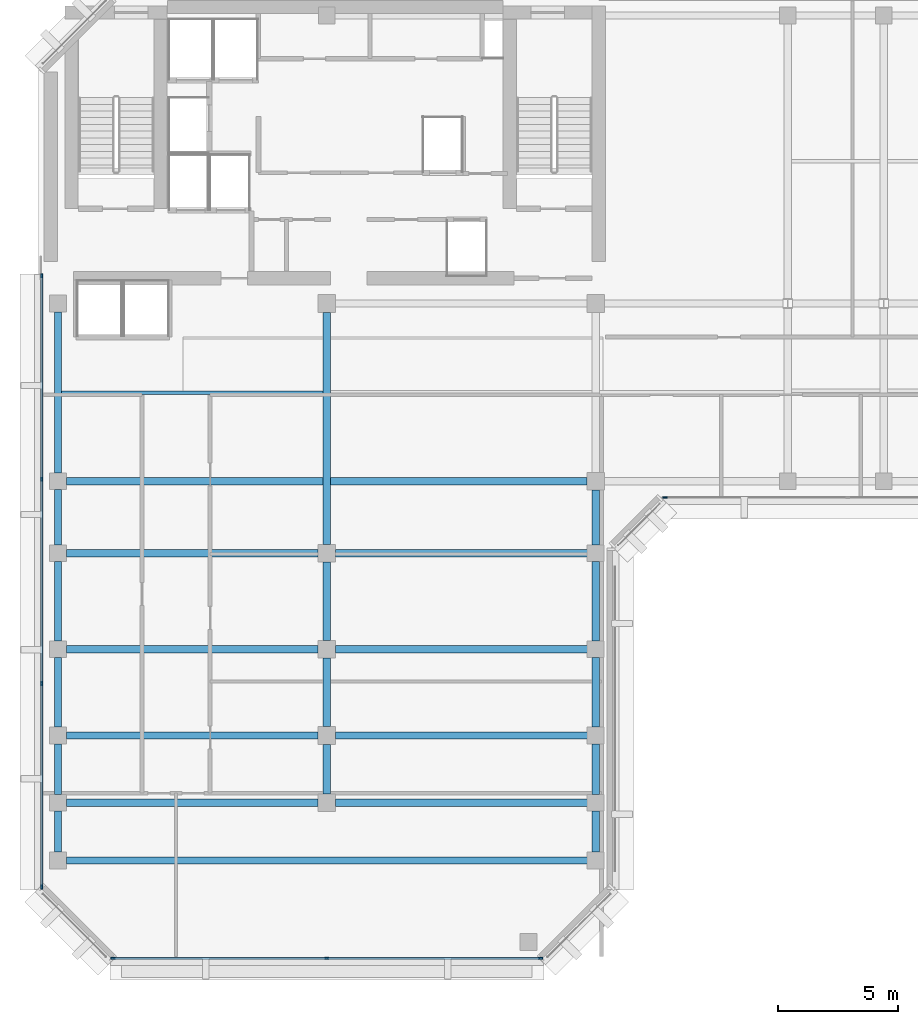
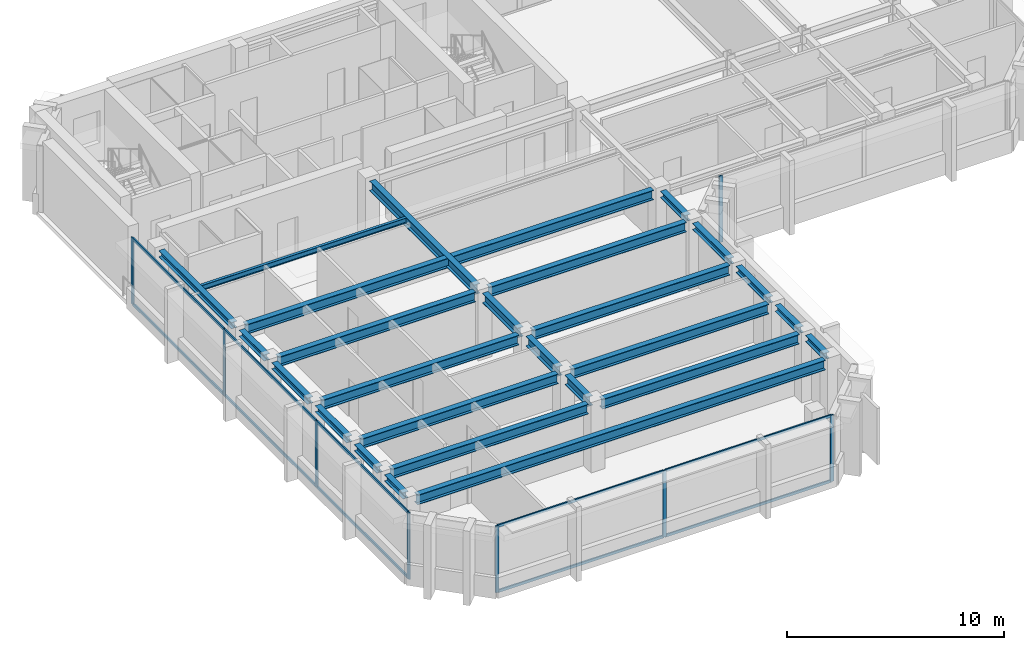
# One storey, part 2 of 11: 26 beams, 18 members, 3 elements without a shape of their own.
"""IFC4 building model written with IfcOpenShell, lengths in metres."""

from ifc_helpers import new_model, si_unit, direction, frame, origin, origin_2d, place, context, subcontext, project, spatial, rectangle, i_section, extrude, material, layer, layer_set, material_profile, profile_set, type_object, element, aggregate, save


model = new_model("IFC4")

# Units and contexts
model_context = context("Model", 3, precision=1e-05, world=origin(), true_north=direction((0.0, 1.0)))
body_context = subcontext(model_context, "Body", "Model", "MODEL_VIEW")
ifc_project = project(units=[si_unit("LENGTHUNIT", "METRE"), si_unit("AREAUNIT", "SQUARE_METRE"), si_unit("VOLUMEUNIT", "CUBIC_METRE"), si_unit("PLANEANGLEUNIT", "RADIAN"), si_unit("MASSUNIT", "GRAM", prefix="KILO")], contexts=[model_context])

# Site, building, storey
site_placement = place(None, origin())
site = spatial("IfcSite", under=ifc_project, at=site_placement, CompositionType="ELEMENT")
building_placement = place(site_placement, origin())
building = spatial("IfcBuilding", under=site, at=building_placement, Name="Kefirva Bronze Tower", CompositionType="ELEMENT")
storey_placement = place(building_placement, frame((0.0, 0.0, 284.1298828125)))
storey = spatial("IfcBuildingStorey", under=building, at=storey_placement, Name="L69", CompositionType="ELEMENT", Elevation=284.1298828125)

# Curtain wall, members
ifc_material_1 = material(Name="Bronze anodised aluminium", Category="aluminium")
ifc_layer = layer(ifc_material_1, 0.179931640625, Name="Bronze anodised aluminium")
ifc_layer_set = layer_set([ifc_layer], Name="Bronze anodised aluminium")
curtain_wall_type = type_object("IfcCurtainWallType", Name="Unitised Bronze Ribbon Curtain Wall Zone 4", PredefinedType="USERDEFINED", material=ifc_layer_set)
curtain_wall_1_placement = place(storey_placement, origin())
curtain_wall_1 = element("IfcCurtainWall", 1, at=curtain_wall_1_placement, inside=storey, type_object=curtain_wall_type, Name="L69 Curtain Wall 1", ObjectType="UNITISED CURTAIN WALL", PredefinedType="USERDEFINED")
ifc_material_profile_1 = material_profile(ifc_material_1, rectangle(XDim=0.074951171875, YDim=0.179931640625, at=origin_2d()), Name="ALU 75x180")
ifc_profile_set_1 = profile_set([ifc_material_profile_1], Name="Bronze anodised aluminium")
member_type_1 = type_object("IfcMemberType", Name="Bronze Mullion 75x180", PredefinedType="MULLION", material=ifc_profile_set_1)
member_1_placement = place(storey_placement, frame((3.092529296875, 5.919921875, 0.0), z_axis=(0.0, 0.0, 1.0), x_axis=(0.0, 1.0, 0.0)))
member_1 = element("IfcMember", 2, at=member_1_placement, type_object=member_type_1, Name="CW-04 mullion 1", PredefinedType="MULLION", context=body_context, shape_type="SweptSolid", body=[
    extrude(rectangle(XDim=0.074951171875, YDim=0.179931640625, at=origin_2d()), origin(), (0.0, 0.0, 1.0), 3.740234375),
])
member_2_placement = place(storey_placement, frame((12.0, 5.919921875, 0.0), z_axis=(0.0, 0.0, 1.0), x_axis=(0.0, 1.0, 0.0)))
member_2 = element("IfcMember", 3, at=member_2_placement, type_object=member_type_1, Name="CW-04 mullion 2", PredefinedType="MULLION", context=body_context, shape_type="SweptSolid", body=[
    extrude(rectangle(XDim=0.074951171875, YDim=0.179931640625, at=origin_2d()), origin(), (0.0, 0.0, 1.0), 3.740234375),
])
member_3_placement = place(storey_placement, frame((20.907470703125, 5.919921875, 0.0), z_axis=(0.0, 0.0, 1.0), x_axis=(0.0, 1.0, 0.0)))
member_3 = element("IfcMember", 4, at=member_3_placement, type_object=member_type_1, Name="CW-04 mullion 3", PredefinedType="MULLION", context=body_context, shape_type="SweptSolid", body=[
    extrude(rectangle(XDim=0.074951171875, YDim=0.179931640625, at=origin_2d()), origin(), (0.0, 0.0, 1.0), 3.740234375),
])

# Curtain wall, member
curtain_wall_2_placement = place(storey_placement, origin())
curtain_wall_2 = element("IfcCurtainWall", 5, at=curtain_wall_2_placement, inside=storey, type_object=curtain_wall_type, Name="L69 Curtain Wall 2", ObjectType="UNITISED CURTAIN WALL", PredefinedType="USERDEFINED")
member_4_placement = place(storey_placement, frame((26.092529296875, 25.1201171875, 0.0), z_axis=(0.0, 0.0, 1.0), x_axis=(0.0, 1.0, 0.0)))
member_4 = element("IfcMember", 6, at=member_4_placement, type_object=member_type_1, Name="CW-04 mullion 1", PredefinedType="MULLION", context=body_context, shape_type="SweptSolid", body=[
    extrude(rectangle(XDim=0.074951171875, YDim=0.179931640625, at=origin_2d()), origin(), (0.0, 0.0, 1.0), 3.740234375),
])
aggregate(curtain_wall_2, [member_4])

# Curtain wall, members
curtain_wall_3_placement = place(storey_placement, origin())
curtain_wall_3 = element("IfcCurtainWall", 7, at=curtain_wall_3_placement, inside=storey, type_object=curtain_wall_type, Name="L69 Curtain Wall 5", ObjectType="UNITISED CURTAIN WALL", PredefinedType="USERDEFINED")
member_5_placement = place(storey_placement, frame((0.1201171875, 34.357421875, 0.0), z_axis=(0.0, 0.0, 1.0), x_axis=(1.0, 0.0, 0.0)))
member_5 = element("IfcMember", 8, at=member_5_placement, type_object=member_type_1, Name="CW-04 mullion 1", PredefinedType="MULLION", context=body_context, shape_type="SweptSolid", body=[
    extrude(rectangle(XDim=0.074951171875, YDim=0.179931640625, at=origin_2d()), origin(), (0.0, 0.0, 1.0), 3.740234375),
])
member_6_placement = place(storey_placement, frame((0.1201171875, 25.881591796875, 0.0), z_axis=(0.0, 0.0, 1.0), x_axis=(1.0, 0.0, 0.0)))
member_6 = element("IfcMember", 9, at=member_6_placement, type_object=member_type_1, Name="CW-04 mullion 2", PredefinedType="MULLION", context=body_context, shape_type="SweptSolid", body=[
    extrude(rectangle(XDim=0.074951171875, YDim=0.179931640625, at=origin_2d()), origin(), (0.0, 0.0, 1.0), 3.740234375),
])
member_7_placement = place(storey_placement, frame((0.1201171875, 17.368408203125, 0.0), z_axis=(0.0, 0.0, 1.0), x_axis=(1.0, 0.0, 0.0)))
member_7 = element("IfcMember", 10, at=member_7_placement, type_object=member_type_1, Name="CW-04 mullion 3", PredefinedType="MULLION", context=body_context, shape_type="SweptSolid", body=[
    extrude(rectangle(XDim=0.074951171875, YDim=0.179931640625, at=origin_2d()), origin(), (0.0, 0.0, 1.0), 3.740234375),
])
member_8_placement = place(storey_placement, frame((0.1201171875, 8.892578125, 0.0), z_axis=(0.0, 0.0, 1.0), x_axis=(1.0, 0.0, 0.0)))
member_8 = element("IfcMember", 11, at=member_8_placement, type_object=member_type_1, Name="CW-04 mullion 4", PredefinedType="MULLION", context=body_context, shape_type="SweptSolid", body=[
    extrude(rectangle(XDim=0.074951171875, YDim=0.179931640625, at=origin_2d()), origin(), (0.0, 0.0, 1.0), 3.740234375),
])

# Member
ifc_material_profile_2 = material_profile(ifc_material_1, rectangle(XDim=0.074951171875, YDim=0.14990234375, at=origin_2d()), Name="ALU 75x150")
ifc_profile_set_2 = profile_set([ifc_material_profile_2], Name="Bronze anodised aluminium")
member_type_2 = type_object("IfcMemberType", Name="Bronze Transom 75x150", PredefinedType="USERDEFINED", material=ifc_profile_set_2)
member_9_placement = place(storey_placement, frame((3.1298828125, 5.919921875, 0.03759765625), z_axis=(1.0, 0.0, 0.0), x_axis=(0.0, 1.0, 0.0)))
member_9 = element("IfcMember", 12, at=member_9_placement, type_object=member_type_2, Name="CW-04 transom 1.1", ObjectType="TRANSOM", PredefinedType="USERDEFINED", context=body_context, shape_type="SweptSolid", body=[
    extrude(rectangle(XDim=0.074951171875, YDim=0.14990234375, at=origin_2d()), origin(), (0.0, 0.0, 1.0), 8.83251953125),
])

member_10_placement = place(storey_placement, frame((3.1298828125, 5.919921875, 3.70263671875), z_axis=(1.0, 0.0, 0.0), x_axis=(0.0, 1.0, 0.0)))
member_10 = element("IfcMember", 13, at=member_10_placement, type_object=member_type_2, Name="CW-04 transom 1.2", ObjectType="TRANSOM", PredefinedType="USERDEFINED", context=body_context, shape_type="SweptSolid", body=[
    extrude(rectangle(XDim=0.074951171875, YDim=0.14990234375, at=origin_2d()), origin(), (0.0, 0.0, 1.0), 8.83251953125),
])

member_11_placement = place(storey_placement, frame((12.03759765625, 5.919921875, 0.03759765625), z_axis=(1.0, 0.0, 0.0), x_axis=(0.0, 1.0, 0.0)))
member_11 = element("IfcMember", 14, at=member_11_placement, type_object=member_type_2, Name="CW-04 transom 2.1", ObjectType="TRANSOM", PredefinedType="USERDEFINED", context=body_context, shape_type="SweptSolid", body=[
    extrude(rectangle(XDim=0.074951171875, YDim=0.14990234375, at=origin_2d()), origin(), (0.0, 0.0, 1.0), 8.83251953125),
])

member_12_placement = place(storey_placement, frame((12.03759765625, 5.919921875, 3.70263671875), z_axis=(1.0, 0.0, 0.0), x_axis=(0.0, 1.0, 0.0)))
member_12 = element("IfcMember", 15, at=member_12_placement, type_object=member_type_2, Name="CW-04 transom 2.2", ObjectType="TRANSOM", PredefinedType="USERDEFINED", context=body_context, shape_type="SweptSolid", body=[
    extrude(rectangle(XDim=0.074951171875, YDim=0.14990234375, at=origin_2d()), origin(), (0.0, 0.0, 1.0), 8.83251953125),
])

aggregate(curtain_wall_1, [member_1, member_2, member_3, member_9, member_10, member_11, member_12])

member_13_placement = place(storey_placement, frame((0.1201171875, 34.320068359375, 0.03759765625), z_axis=(0.0, -1.0, 0.0), x_axis=(1.0, 0.0, 0.0)))
member_13 = element("IfcMember", 16, at=member_13_placement, type_object=member_type_2, Name="CW-04 transom 1.1", ObjectType="TRANSOM", PredefinedType="USERDEFINED", context=body_context, shape_type="SweptSolid", body=[
    extrude(rectangle(XDim=0.074951171875, YDim=0.14990234375, at=origin_2d()), origin(), (0.0, 0.0, 1.0), 8.40087890625),
])

member_14_placement = place(storey_placement, frame((0.1201171875, 34.320068359375, 3.70263671875), z_axis=(0.0, -1.0, 0.0), x_axis=(1.0, 0.0, 0.0)))
member_14 = element("IfcMember", 17, at=member_14_placement, type_object=member_type_2, Name="CW-04 transom 1.2", ObjectType="TRANSOM", PredefinedType="USERDEFINED", context=body_context, shape_type="SweptSolid", body=[
    extrude(rectangle(XDim=0.074951171875, YDim=0.14990234375, at=origin_2d()), origin(), (0.0, 0.0, 1.0), 8.40087890625),
])

member_15_placement = place(storey_placement, frame((0.1201171875, 25.84423828125, 0.03759765625), z_axis=(0.0, -1.0, 0.0), x_axis=(1.0, 0.0, 0.0)))
member_15 = element("IfcMember", 18, at=member_15_placement, type_object=member_type_2, Name="CW-04 transom 2.1", ObjectType="TRANSOM", PredefinedType="USERDEFINED", context=body_context, shape_type="SweptSolid", body=[
    extrude(rectangle(XDim=0.074951171875, YDim=0.14990234375, at=origin_2d()), origin(), (0.0, 0.0, 1.0), 8.4384765625),
])

member_16_placement = place(storey_placement, frame((0.1201171875, 25.84423828125, 3.70263671875), z_axis=(0.0, -1.0, 0.0), x_axis=(1.0, 0.0, 0.0)))
member_16 = element("IfcMember", 19, at=member_16_placement, type_object=member_type_2, Name="CW-04 transom 2.2", ObjectType="TRANSOM", PredefinedType="USERDEFINED", context=body_context, shape_type="SweptSolid", body=[
    extrude(rectangle(XDim=0.074951171875, YDim=0.14990234375, at=origin_2d()), origin(), (0.0, 0.0, 1.0), 8.4384765625),
])

member_17_placement = place(storey_placement, frame((0.1201171875, 17.330810546875, 0.03759765625), z_axis=(0.0, -1.0, 0.0), x_axis=(1.0, 0.0, 0.0)))
member_17 = element("IfcMember", 20, at=member_17_placement, type_object=member_type_2, Name="CW-04 transom 3.1", ObjectType="TRANSOM", PredefinedType="USERDEFINED", context=body_context, shape_type="SweptSolid", body=[
    extrude(rectangle(XDim=0.074951171875, YDim=0.14990234375, at=origin_2d()), origin(), (0.0, 0.0, 1.0), 8.40087890625),
])

member_18_placement = place(storey_placement, frame((0.1201171875, 17.330810546875, 3.70263671875), z_axis=(0.0, -1.0, 0.0), x_axis=(1.0, 0.0, 0.0)))
member_18 = element("IfcMember", 21, at=member_18_placement, type_object=member_type_2, Name="CW-04 transom 3.2", ObjectType="TRANSOM", PredefinedType="USERDEFINED", context=body_context, shape_type="SweptSolid", body=[
    extrude(rectangle(XDim=0.074951171875, YDim=0.14990234375, at=origin_2d()), origin(), (0.0, 0.0, 1.0), 8.40087890625),
])

aggregate(curtain_wall_3, [member_5, member_6, member_7, member_8, member_13, member_14, member_15, member_16, member_17, member_18])

# Beams
ifc_material_2 = material(Name="Steel S355", Category="steel")
ifc_material_profile_3 = material_profile(ifc_material_2, i_section(OverallWidth=0.14990234375, OverallDepth=0.300048828125, WebThickness=0.007080078125, FlangeThickness=0.0107421875, at=origin_2d()), Name="IPE 300")
ifc_profile_set_3 = profile_set([ifc_material_profile_3], Name="Steel S355")
beam_type_1 = type_object("IfcBeamType", Name="Steel Floor Joist IPE 300", PredefinedType="JOIST", material=ifc_profile_set_3)
beam_1_placement = place(storey_placement, frame((0.949951171875, 29.489990234375, 3.590087890625), z_axis=(1.0, 0.0, 0.0), x_axis=(0.0, 1.0, 0.0)))
element("IfcBeam", 22, at=beam_1_placement, inside=storey, type_object=beam_type_1, Name="L69 JST-L69-0-294", PredefinedType="JOIST", context=body_context, shape_type="SweptSolid", body=[
    extrude(i_section(OverallWidth=0.14990234375, OverallDepth=0.300048828125, WebThickness=0.007080078125, FlangeThickness=0.0107421875, at=origin_2d()), origin(), (0.0, 0.0, 1.0), 10.900146484375),
])
ifc_material_profile_4 = material_profile(ifc_material_2, i_section(OverallWidth=0.300048828125, OverallDepth=0.550048828125, WebThickness=0.014892578125, FlangeThickness=0.029052734375, at=origin_2d()), Name="HEB 550")
ifc_profile_set_4 = profile_set([ifc_material_profile_4], Name="Steel S355")
beam_type_2 = type_object("IfcBeamType", Name="Steel Girder HEB 550", PredefinedType="USERDEFINED", material=ifc_profile_set_4)
beam_2_placement = place(storey_placement, frame((1.14990234375, 10.0, 3.465087890625), z_axis=(1.0, 0.0, 0.0), x_axis=(0.0, 1.0, 0.0)))
element("IfcBeam", 23, at=beam_2_placement, inside=storey, type_object=beam_type_2, Name="L69 BM-L69-EW-0-100", ObjectType="GIRDER", PredefinedType="USERDEFINED", context=body_context, shape_type="SweptSolid", body=[
    extrude(i_section(OverallWidth=0.300048828125, OverallDepth=0.550048828125, WebThickness=0.014892578125, FlangeThickness=0.029052734375, at=origin_2d()), origin(), (0.0, 0.0, 1.0), 21.7001953125),
])
for number, where, z_axis, x_axis, name in (
    (24, (1.14990234375, 12.39990234375, 3.465087890625), (1.0, 0.0, 0.0), (0.0, 1.0, 0.0), "L69 BM-L69-EW-0-124"),
    (25, (12.3701171875, 12.39990234375, 3.465087890625), (1.0, 0.0, 0.0), (0.0, 1.0, 0.0), "L69 BM-L69-EW-12-124"),
    (26, (1.14990234375, 15.199951171875, 3.465087890625), (1.0, 0.0, 0.0), (0.0, 1.0, 0.0), "L69 BM-L69-EW-0-152"),
    (27, (12.3701171875, 15.199951171875, 3.465087890625), (1.0, 0.0, 0.0), (0.0, 1.0, 0.0), "L69 BM-L69-EW-12-152"),
    (28, (1.14990234375, 18.800048828125, 3.465087890625), (1.0, 0.0, 0.0), (0.0, 1.0, 0.0), "L69 BM-L69-EW-0-188"),
    (29, (12.3701171875, 18.800048828125, 3.465087890625), (1.0, 0.0, 0.0), (0.0, 1.0, 0.0), "L69 BM-L69-EW-12-188"),
    (30, (1.14990234375, 22.800048828125, 3.465087890625), (1.0, 0.0, 0.0), (0.0, 1.0, 0.0), "L69 BM-L69-EW-0-228"),
    (31, (12.3701171875, 22.800048828125, 3.465087890625), (1.0, 0.0, 0.0), (0.0, 1.0, 0.0), "L69 BM-L69-EW-12-228"),
):
    element("IfcBeam", number, at=place(storey_placement, frame(where, z_axis=z_axis, x_axis=x_axis)), inside=storey, type_object=beam_type_2, Name=name, ObjectType="GIRDER", PredefinedType="USERDEFINED", context=body_context, shape_type="SweptSolid", body=[
        extrude(i_section(OverallWidth=0.300048828125, OverallDepth=0.550048828125, WebThickness=0.014892578125, FlangeThickness=0.029052734375, at=origin_2d()), origin(), (0.0, 0.0, 1.0), 10.47998046875),
    ])
beam_3_placement = place(storey_placement, frame((1.14990234375, 25.800048828125, 3.465087890625), z_axis=(1.0, 0.0, 0.0), x_axis=(0.0, 1.0, 0.0)))
element("IfcBeam", 32, at=beam_3_placement, inside=storey, type_object=beam_type_2, Name="L69 BM-L69-EW-0-258", ObjectType="GIRDER", PredefinedType="USERDEFINED", context=body_context, shape_type="SweptSolid", body=[
    extrude(i_section(OverallWidth=0.300048828125, OverallDepth=0.550048828125, WebThickness=0.014892578125, FlangeThickness=0.029052734375, at=origin_2d()), origin(), (0.0, 0.0, 1.0), 21.68017578125),
])
beam_4_placement = place(storey_placement, frame((12.0, 12.77001953125, 3.465087890625), z_axis=(0.0, 1.0, 0.0), x_axis=(-1.0, 0.0, 0.0)))
element("IfcBeam", 33, at=beam_4_placement, inside=storey, type_object=beam_type_2, Name="L69 BM-L69-NS-120-12", ObjectType="GIRDER", PredefinedType="USERDEFINED", context=body_context, shape_type="SweptSolid", body=[
    extrude(i_section(OverallWidth=0.300048828125, OverallDepth=0.550048828125, WebThickness=0.014892578125, FlangeThickness=0.029052734375, at=origin_2d()), origin(), (0.0, 0.0, 1.0), 2.06005859375),
])
beam_5_placement = place(storey_placement, frame((12.0, 15.570068359375, 3.465087890625), z_axis=(0.0, 1.0, 0.0), x_axis=(-1.0, 0.0, 0.0)))
element("IfcBeam", 34, at=beam_5_placement, inside=storey, type_object=beam_type_2, Name="L69 BM-L69-NS-120-15", ObjectType="GIRDER", PredefinedType="USERDEFINED", context=body_context, shape_type="SweptSolid", body=[
    extrude(i_section(OverallWidth=0.300048828125, OverallDepth=0.550048828125, WebThickness=0.014892578125, FlangeThickness=0.029052734375, at=origin_2d()), origin(), (0.0, 0.0, 1.0), 2.85986328125),
])
beam_6_placement = place(storey_placement, frame((12.0, 19.169921875, 3.465087890625), z_axis=(0.0, 1.0, 0.0), x_axis=(-1.0, 0.0, 0.0)))
element("IfcBeam", 35, at=beam_6_placement, inside=storey, type_object=beam_type_2, Name="L69 BM-L69-NS-120-18", ObjectType="GIRDER", PredefinedType="USERDEFINED", context=body_context, shape_type="SweptSolid", body=[
    extrude(i_section(OverallWidth=0.300048828125, OverallDepth=0.550048828125, WebThickness=0.014892578125, FlangeThickness=0.029052734375, at=origin_2d()), origin(), (0.0, 0.0, 1.0), 3.260009765625),
])
beam_7_placement = place(storey_placement, frame((12.0, 23.169921875, 3.465087890625), z_axis=(0.0, 1.0, 0.0), x_axis=(-1.0, 0.0, 0.0)))
element("IfcBeam", 36, at=beam_7_placement, inside=storey, type_object=beam_type_2, Name="L69 BM-L69-NS-120-22", ObjectType="GIRDER", PredefinedType="USERDEFINED", context=body_context, shape_type="SweptSolid", body=[
    extrude(i_section(OverallWidth=0.300048828125, OverallDepth=0.550048828125, WebThickness=0.014892578125, FlangeThickness=0.029052734375, at=origin_2d()), origin(), (0.0, 0.0, 1.0), 9.66015625),
])
ifc_material_profile_5 = material_profile(ifc_material_2, i_section(OverallWidth=0.300048828125, OverallDepth=0.360107421875, WebThickness=0.012451171875, FlangeThickness=0.0224609375, at=origin_2d()), Name="HEB 360")
ifc_profile_set_5 = profile_set([ifc_material_profile_5], Name="Steel S355")
beam_type_3 = type_object("IfcBeamType", Name="Steel Spandrel HEB 360 Ext", PredefinedType="SPANDREL", material=ifc_profile_set_5)
beam_8_placement = place(storey_placement, frame((0.800048828125, 10.35009765625, 3.56005859375), z_axis=(0.0, 1.0, 0.0), x_axis=(-1.0, 0.0, 0.0)))
element("IfcBeam", 37, at=beam_8_placement, inside=storey, type_object=beam_type_3, Name="L69 BM-L69-NS-8-10", PredefinedType="SPANDREL", context=body_context, shape_type="SweptSolid", body=[
    extrude(i_section(OverallWidth=0.300048828125, OverallDepth=0.360107421875, WebThickness=0.012451171875, FlangeThickness=0.0224609375, at=origin_2d()), origin(), (0.0, 0.0, 1.0), 1.699951171875),
])
beam_9_placement = place(storey_placement, frame((0.800048828125, 12.75, 3.56005859375), z_axis=(0.0, 1.0, 0.0), x_axis=(-1.0, 0.0, 0.0)))
element("IfcBeam", 38, at=beam_9_placement, inside=storey, type_object=beam_type_3, Name="L69 BM-L69-NS-8-12", PredefinedType="SPANDREL", context=body_context, shape_type="SweptSolid", body=[
    extrude(i_section(OverallWidth=0.300048828125, OverallDepth=0.360107421875, WebThickness=0.012451171875, FlangeThickness=0.0224609375, at=origin_2d()), origin(), (0.0, 0.0, 1.0), 2.10009765625),
])
beam_10_placement = place(storey_placement, frame((0.800048828125, 15.550048828125, 3.56005859375), z_axis=(0.0, 1.0, 0.0), x_axis=(-1.0, 0.0, 0.0)))
element("IfcBeam", 39, at=beam_10_placement, inside=storey, type_object=beam_type_3, Name="L69 BM-L69-NS-8-15", PredefinedType="SPANDREL", context=body_context, shape_type="SweptSolid", body=[
    extrude(i_section(OverallWidth=0.300048828125, OverallDepth=0.360107421875, WebThickness=0.012451171875, FlangeThickness=0.0224609375, at=origin_2d()), origin(), (0.0, 0.0, 1.0), 2.89990234375),
])
beam_11_placement = place(storey_placement, frame((0.800048828125, 19.14990234375, 3.56005859375), z_axis=(0.0, 1.0, 0.0), x_axis=(-1.0, 0.0, 0.0)))
element("IfcBeam", 40, at=beam_11_placement, inside=storey, type_object=beam_type_3, Name="L69 BM-L69-NS-8-18", PredefinedType="SPANDREL", context=body_context, shape_type="SweptSolid", body=[
    extrude(i_section(OverallWidth=0.300048828125, OverallDepth=0.360107421875, WebThickness=0.012451171875, FlangeThickness=0.0224609375, at=origin_2d()), origin(), (0.0, 0.0, 1.0), 3.300048828125),
])
beam_12_placement = place(storey_placement, frame((0.800048828125, 23.14990234375, 3.56005859375), z_axis=(0.0, 1.0, 0.0), x_axis=(-1.0, 0.0, 0.0)))
element("IfcBeam", 41, at=beam_12_placement, inside=storey, type_object=beam_type_3, Name="L69 BM-L69-NS-8-22", PredefinedType="SPANDREL", context=body_context, shape_type="SweptSolid", body=[
    extrude(i_section(OverallWidth=0.300048828125, OverallDepth=0.360107421875, WebThickness=0.012451171875, FlangeThickness=0.0224609375, at=origin_2d()), origin(), (0.0, 0.0, 1.0), 2.300048828125),
])
beam_13_placement = place(storey_placement, frame((0.800048828125, 26.14990234375, 3.56005859375), z_axis=(0.0, 1.0, 0.0), x_axis=(-1.0, 0.0, 0.0)))
element("IfcBeam", 42, at=beam_13_placement, inside=storey, type_object=beam_type_3, Name="L69 BM-L69-NS-8-25", PredefinedType="SPANDREL", context=body_context, shape_type="SweptSolid", body=[
    extrude(i_section(OverallWidth=0.300048828125, OverallDepth=0.360107421875, WebThickness=0.012451171875, FlangeThickness=0.0224609375, at=origin_2d()), origin(), (0.0, 0.0, 1.0), 6.7001953125),
])
beam_14_placement = place(storey_placement, frame((23.199951171875, 10.35009765625, 3.56005859375), z_axis=(0.0, 1.0, 0.0), x_axis=(-1.0, 0.0, 0.0)))
element("IfcBeam", 43, at=beam_14_placement, inside=storey, type_object=beam_type_3, Name="L69 BM-L69-NS-232-10", PredefinedType="SPANDREL", context=body_context, shape_type="SweptSolid", body=[
    extrude(i_section(OverallWidth=0.300048828125, OverallDepth=0.360107421875, WebThickness=0.012451171875, FlangeThickness=0.0224609375, at=origin_2d()), origin(), (0.0, 0.0, 1.0), 1.699951171875),
])
beam_15_placement = place(storey_placement, frame((23.199951171875, 12.75, 3.56005859375), z_axis=(0.0, 1.0, 0.0), x_axis=(-1.0, 0.0, 0.0)))
element("IfcBeam", 44, at=beam_15_placement, inside=storey, type_object=beam_type_3, Name="L69 BM-L69-NS-232-12", PredefinedType="SPANDREL", context=body_context, shape_type="SweptSolid", body=[
    extrude(i_section(OverallWidth=0.300048828125, OverallDepth=0.360107421875, WebThickness=0.012451171875, FlangeThickness=0.0224609375, at=origin_2d()), origin(), (0.0, 0.0, 1.0), 2.10009765625),
])
beam_16_placement = place(storey_placement, frame((23.199951171875, 15.550048828125, 3.56005859375), z_axis=(0.0, 1.0, 0.0), x_axis=(-1.0, 0.0, 0.0)))
element("IfcBeam", 45, at=beam_16_placement, inside=storey, type_object=beam_type_3, Name="L69 BM-L69-NS-232-15", PredefinedType="SPANDREL", context=body_context, shape_type="SweptSolid", body=[
    extrude(i_section(OverallWidth=0.300048828125, OverallDepth=0.360107421875, WebThickness=0.012451171875, FlangeThickness=0.0224609375, at=origin_2d()), origin(), (0.0, 0.0, 1.0), 2.89990234375),
])
beam_17_placement = place(storey_placement, frame((23.199951171875, 19.14990234375, 3.56005859375), z_axis=(0.0, 1.0, 0.0), x_axis=(-1.0, 0.0, 0.0)))
element("IfcBeam", 46, at=beam_17_placement, inside=storey, type_object=beam_type_3, Name="L69 BM-L69-NS-232-18", PredefinedType="SPANDREL", context=body_context, shape_type="SweptSolid", body=[
    extrude(i_section(OverallWidth=0.300048828125, OverallDepth=0.360107421875, WebThickness=0.012451171875, FlangeThickness=0.0224609375, at=origin_2d()), origin(), (0.0, 0.0, 1.0), 3.300048828125),
])
beam_18_placement = place(storey_placement, frame((23.199951171875, 23.14990234375, 3.56005859375), z_axis=(0.0, 1.0, 0.0), x_axis=(-1.0, 0.0, 0.0)))
element("IfcBeam", 47, at=beam_18_placement, inside=storey, type_object=beam_type_3, Name="L69 BM-L69-NS-232-22", PredefinedType="SPANDREL", context=body_context, shape_type="SweptSolid", body=[
    extrude(i_section(OverallWidth=0.300048828125, OverallDepth=0.360107421875, WebThickness=0.012451171875, FlangeThickness=0.0224609375, at=origin_2d()), origin(), (0.0, 0.0, 1.0), 2.280029296875),
])

save(model, "model.ifc")
